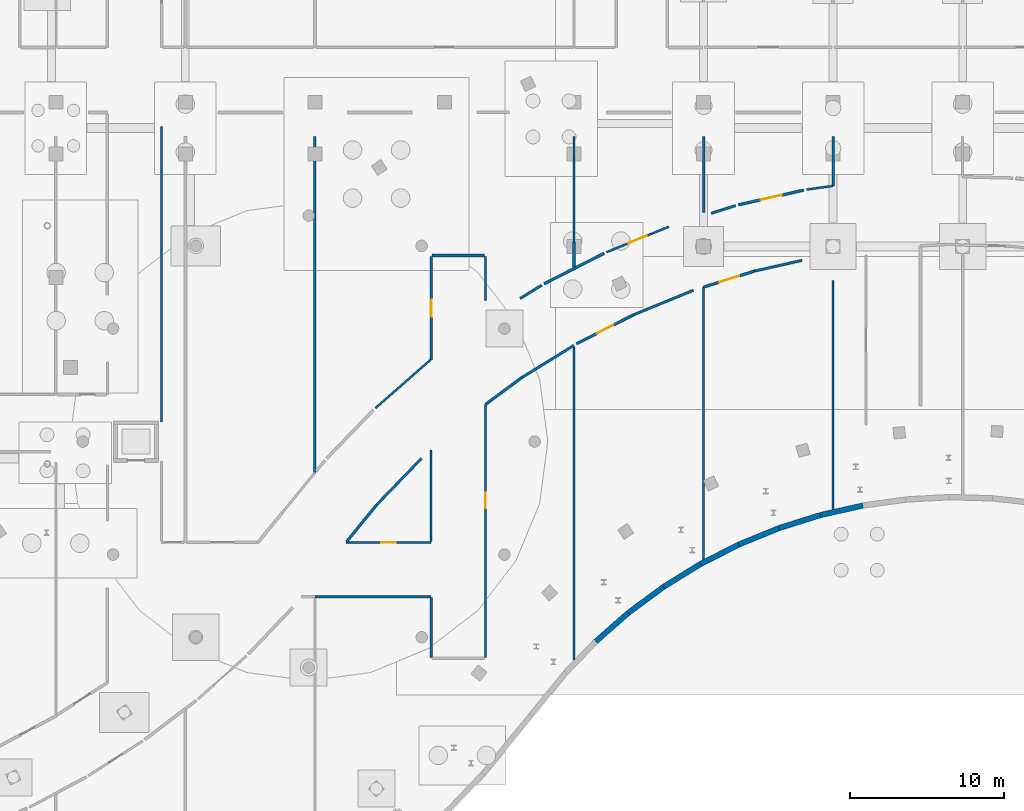
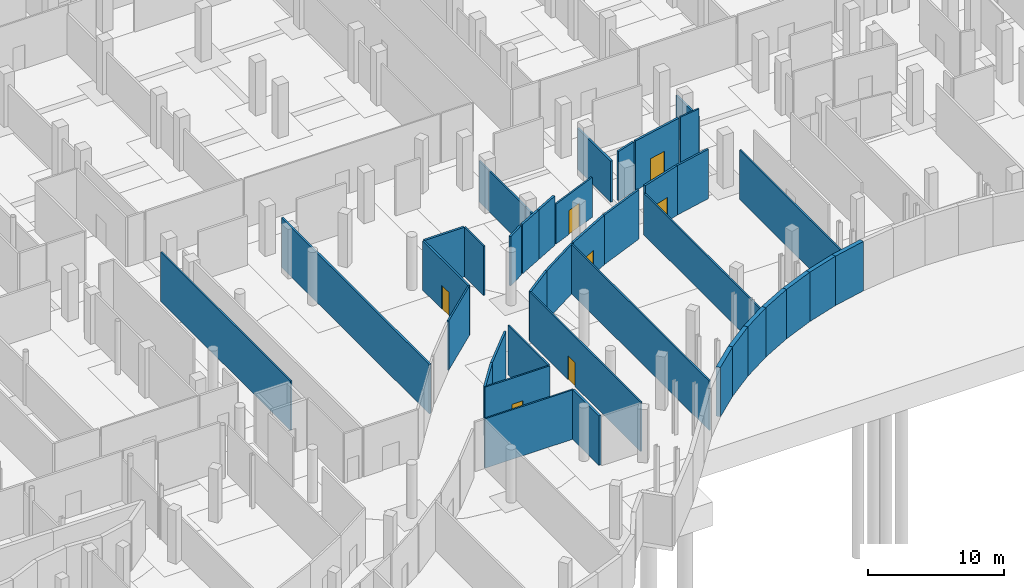
# One storey, part 29 of 45: 41 walls, 7 doors, 7 openings.
"""IFC4 building model written with IfcOpenShell, lengths in metres."""

from ifc_helpers import new_model, si_unit, direction, frame, frame_2d, origin, place, context, subcontext, project, spatial, rectangle, extrude, material, layer, layer_set, type_object, element, fill, save


model = new_model("IFC4")

# Units and contexts
model_context = context("Model", 3, precision=1e-05, world=origin(), true_north=direction((0.0, 1.0)))
body_context = subcontext(model_context, "Body", "Model", "MODEL_VIEW")
ifc_project = project(units=[si_unit("LENGTHUNIT", "METRE"), si_unit("AREAUNIT", "SQUARE_METRE"), si_unit("VOLUMEUNIT", "CUBIC_METRE"), si_unit("PLANEANGLEUNIT", "RADIAN"), si_unit("MASSUNIT", "GRAM", prefix="KILO")], contexts=[model_context])

# Site, building, storey
site_placement = place(None, origin())
site = spatial("IfcSite", under=ifc_project, at=site_placement, CompositionType="ELEMENT")
building_placement = place(site_placement, origin())
building = spatial("IfcBuilding", under=site, at=building_placement, Name="Selatvlak General Hospital", CompositionType="ELEMENT")
storey_placement = place(building_placement, frame((0.0, 0.0, -4.800048828125)))
storey = spatial("IfcBuildingStorey", under=building, at=storey_placement, Name="B1", CompositionType="ELEMENT", Elevation=-4.800048828125)

# Walls
ifc_material_1 = material(Name="Concrete C45/55", Category="concrete")
ifc_layer_1 = layer(ifc_material_1, 0.35009765625, Name="Concrete C45/55", Category="concrete")
ifc_layer_set_1 = layer_set([ifc_layer_1], Name="Concrete C45/55")
wall_type_1 = type_object("IfcWallType", Name="WALL-EW-05", PredefinedType="SHEAR", material=ifc_layer_set_1)
wall_1_placement = place(storey_placement, frame((133.927978515625, 49.85107421875, 0.0), z_axis=(0.0, 0.0, 1.0), x_axis=(-0.975661742294, -0.219281017472, 0.0)))
element("IfcWall", 1, at=wall_1_placement, inside=storey, type_object=wall_type_1, Name="B1 retaining wall 0062", PredefinedType="SHEAR", context=body_context, shape_type="SweptSolid", body=[
    extrude(rectangle(XDim=2.814697265625, YDim=0.35009765625, at=frame_2d((1.4072265625, 0.0))), origin(), (0.0, 0.0, 1.0), 4.449951171875),
])
wall_2_placement = place(storey_placement, frame((131.181884765625, 49.23388671875, 0.0), z_axis=(0.0, 0.0, 1.0), x_axis=(-0.953973125433, -0.299892107185, 0.0)))
element("IfcWall", 2, at=wall_2_placement, inside=storey, type_object=wall_type_1, Name="B1 retaining wall 0063", PredefinedType="SHEAR", context=body_context, shape_type="SweptSolid", body=[
    extrude(rectangle(XDim=2.810302734375, YDim=0.35009765625, at=frame_2d((1.4052734375, 0.0))), origin(), (0.0, 0.0, 1.0), 4.449951171875),
])
wall_3_placement = place(storey_placement, frame((128.5009765625, 48.39111328125, 0.0), z_axis=(0.0, 0.0, 1.0), x_axis=(-0.925679615695, -0.378308404727, 0.0)))
element("IfcWall", 3, at=wall_3_placement, inside=storey, type_object=wall_type_1, Name="B1 retaining wall 0064", PredefinedType="SHEAR", context=body_context, shape_type="SweptSolid", body=[
    extrude(rectangle(XDim=2.81298828125, YDim=0.35009765625, at=frame_2d((1.406494140625, 0.0))), origin(), (0.0, 0.0, 1.0), 4.449951171875),
])
wall_4_placement = place(storey_placement, frame((125.89697265625, 47.326904296875, 0.0), z_axis=(0.0, 0.0, 1.0), x_axis=(-0.891373260377, -0.453270019618, 0.0)))
element("IfcWall", 4, at=wall_4_placement, inside=storey, type_object=wall_type_1, Name="B1 retaining wall 0065", PredefinedType="SHEAR", context=body_context, shape_type="SweptSolid", body=[
    extrude(rectangle(XDim=2.81689453125, YDim=0.35009765625, at=frame_2d((1.408447265625, 0.0))), origin(), (0.0, 0.0, 1.0), 4.449951171875),
])
wall_5_placement = place(storey_placement, frame((123.385986328125, 46.050048828125, 0.0), z_axis=(0.0, 0.0, 1.0), x_axis=(-0.850433517681, -0.526082533454, 0.0)))
element("IfcWall", 5, at=wall_5_placement, inside=storey, type_object=wall_type_1, Name="B1 retaining wall 0066", PredefinedType="SHEAR", context=body_context, shape_type="SweptSolid", body=[
    extrude(rectangle(XDim=2.811279296875, YDim=0.35009765625, at=frame_2d((1.40576171875, 0.0))), origin(), (0.0, 0.0, 1.0), 4.449951171875),
])
wall_6_placement = place(storey_placement, frame((120.9951171875, 44.571044921875, 0.0), z_axis=(0.0, 0.0, 1.0), x_axis=(-0.804001189755, -0.59462768761, 0.0)))
element("IfcWall", 6, at=wall_6_placement, inside=storey, type_object=wall_type_1, Name="B1 retaining wall 0067", PredefinedType="SHEAR", context=body_context, shape_type="SweptSolid", body=[
    extrude(rectangle(XDim=2.813720703125, YDim=0.35009765625, at=frame_2d((1.40673828125, 0.0))), origin(), (0.0, 0.0, 1.0), 4.449951171875),
])
wall_7_placement = place(storey_placement, frame((118.73291015625, 42.89794921875, 0.0), z_axis=(0.0, 0.0, 1.0), x_axis=(-0.752130329724, -0.659014390669, 0.0)))
element("IfcWall", 7, at=wall_7_placement, inside=storey, type_object=wall_type_1, Name="B1 retaining wall 0068", PredefinedType="SHEAR", context=body_context, shape_type="SweptSolid", body=[
    extrude(rectangle(XDim=2.813232421875, YDim=0.35009765625, at=frame_2d((1.40673828125, 0.0))), origin(), (0.0, 0.0, 1.0), 4.449951171875),
])
ifc_material_2 = material(Name="Acoustic gypsum stud partition")
ifc_layer_2 = layer(ifc_material_2, 0.179931640625, Name="Acoustic gypsum stud partition")
ifc_layer_set_2 = layer_set([ifc_layer_2], Name="Acoustic gypsum stud partition")
wall_type_2 = type_object("IfcWallType", Name="WALL-PT-01", PredefinedType="PARTITIONING", material=ifc_layer_set_2)
wall_8_placement = place(storey_placement, frame((105.93994140625, 43.876953125, 0.0), z_axis=(0.0, 0.0, 1.0), x_axis=(0.0, -1.0, 0.0)))
element("IfcWall", 8, at=wall_8_placement, inside=storey, type_object=wall_type_2, Name="B1 clinical partition PT-B1-0141", PredefinedType="PARTITIONING", context=body_context, shape_type="SweptSolid", body=[
    extrude(rectangle(XDim=3.876953125, YDim=0.179931640625, at=frame_2d((1.9384765625, 0.0))), origin(), (0.0, 0.0, 1.0), 4.449951171875),
])
wall_9_placement = place(storey_placement, frame((109.4599609375, 56.406005859375, 0.0), z_axis=(0.0, 0.0, 1.0), x_axis=(0.803833088097, 0.594854912125, 0.0)))
element("IfcWall", 9, at=wall_9_placement, inside=storey, type_object=wall_type_2, Name="B1 clinical partition PT-B1-0144", PredefinedType="PARTITIONING", context=body_context, shape_type="SweptSolid", body=[
    extrude(rectangle(XDim=2.914794921875, YDim=0.179931640625, at=frame_2d((1.45751953125, 0.0))), origin(), (0.0, 0.0, 1.0), 4.449951171875),
])
wall_10_placement = place(storey_placement, frame((115.199951171875, 65.215087890625, 0.0), z_axis=(0.0, 0.0, 1.0), x_axis=(-0.891321133159, -0.45337251525, 0.0)))
element("IfcWall", 10, at=wall_10_placement, inside=storey, type_object=wall_type_2, Name="B1 clinical partition PT-B1-0150", PredefinedType="PARTITIONING", context=body_context, shape_type="SweptSolid", body=[
    extrude(rectangle(XDim=2.16845703125, YDim=0.179931640625, at=frame_2d((1.084228515625, 0.0))), origin(), (0.0, 0.0, 1.0), 4.449951171875),
])
wall_11_placement = place(storey_placement, frame((109.39990234375, 66.06005859375, 0.0), z_axis=(0.0, 0.0, 1.0), x_axis=(-1.0, 0.0, 0.0)))
element("IfcWall", 11, at=wall_11_placement, inside=storey, type_object=wall_type_2, Name="B1 clinical partition PT-B1-0153", PredefinedType="PARTITIONING", context=body_context, shape_type="SweptSolid", body=[
    extrude(rectangle(XDim=3.39990234375, YDim=0.179931640625, at=frame_2d((1.699951171875, 0.0))), origin(), (0.0, 0.0, 1.0), 4.449951171875),
])
wall_12_placement = place(storey_placement, frame((100.465087890625, 47.52294921875, 0.0), z_axis=(0.0, 0.0, 1.0), x_axis=(0.632428992504, 0.774618337919, 0.0)))
element("IfcWall", 12, at=wall_12_placement, inside=storey, type_object=wall_type_2, Name="B1 clinical partition PT-B1-0159", PredefinedType="PARTITIONING", context=body_context, shape_type="SweptSolid", body=[
    extrude(rectangle(XDim=3.0751953125, YDim=0.179931640625, at=frame_2d((1.53759765625, 0.0))), origin(), (0.0, 0.0, 1.0), 4.449951171875),
])

# Wall, opening, door
wall_13_placement = place(storey_placement, frame((115.35302734375, 60.333984375, 0.0), z_axis=(0.0, 0.0, 1.0), x_axis=(0.891282591813, 0.453448278782, 0.0)))
wall_13 = element("IfcWall", 13, at=wall_13_placement, inside=storey, type_object=wall_type_2, Name="B1 clinical partition PT-B1-0162", PredefinedType="PARTITIONING", context=body_context, shape_type="SweptSolid", body=[
    extrude(rectangle(XDim=4.1748046875, YDim=0.179931640625, at=frame_2d((2.08740234375, 0.0))), origin(), (0.0, 0.0, 1.0), 4.449951171875),
])
opening_1_placement = place(wall_13_placement, frame((1.487060546875, 0.0, 0.0)))
opening_1 = element("IfcOpeningElement", 14, at=opening_1_placement, cuts=wall_13, Name="Opening D-07", PredefinedType="OPENING", context=body_context, shape_type="SweptSolid", body=[
    extrude(rectangle(XDim=1.199951171875, YDim=2.14990234375, at=frame_2d((0.60009765625, 1.074951171875))), frame((0.0, 0.099853515625, 0.0), z_axis=(0.0, -1.0, 0.0), x_axis=(1.0, 0.0, 0.0)), (0.0, 0.0, 1.0), 0.199951171875),
])
ifc_material_3 = material(Name="Plant and store fire door")
door_type_1 = type_object("IfcDoorType", Name="DOOR-D-07", OperationType="NOTDEFINED", PredefinedType="DOOR", material=ifc_material_3)
door_1_placement = place(opening_1_placement, origin())
door_1 = element("IfcDoor", 15, at=door_1_placement, inside=storey, type_object=door_type_1, Name="B1 Automated Pharmacy Robotics Plant 32 door", OperationType="SINGLE_SWING_LEFT", OverallHeight=2.14990234375, OverallWidth=1.199951171875, PredefinedType="DOOR", context=body_context, shape_type="SweptSolid", body=[
    extrude(rectangle(XDim=1.199951171875, YDim=2.14990234375, at=frame_2d((0.60009765625, 1.074951171875))), frame((0.0, 0.02490234375, 0.0), z_axis=(0.0, -1.0, 0.0), x_axis=(1.0, 0.0, 0.0)), (0.0, 0.0, 1.0), 0.050048828125),
])
fill(opening_1, door_1)

# Wall
wall_14_placement = place(storey_placement, frame((117.15087890625, 66.2080078125, 0.0), z_axis=(0.0, 0.0, 1.0), x_axis=(-0.891214759651, -0.453581582718, 0.0)))
element("IfcWall", 16, at=wall_14_placement, inside=storey, type_object=wall_type_2, Name="B1 clinical partition PT-B1-0168", PredefinedType="PARTITIONING", context=body_context, shape_type="SweptSolid", body=[
    extrude(rectangle(XDim=2.18896484375, YDim=0.179931640625, at=frame_2d((1.094482421875, 0.0))), origin(), (0.0, 0.0, 1.0), 4.449951171875),
])

# Wall, opening, door
wall_15_placement = place(storey_placement, frame((123.60009765625, 64.013916015625, 0.0), z_axis=(0.0, 0.0, 1.0), x_axis=(0.953976505083, 0.299881356123, 0.0)))
wall_15 = element("IfcWall", 17, at=wall_15_placement, inside=storey, type_object=wall_type_2, Name="B1 clinical partition PT-B1-0171", PredefinedType="PARTITIONING", context=body_context, shape_type="SweptSolid", body=[
    extrude(rectangle(XDim=3.47802734375, YDim=0.179931640625, at=frame_2d((1.739013671875, 0.0))), origin(), (0.0, 0.0, 1.0), 4.449951171875),
])
opening_2_placement = place(wall_15_placement, frame((1.06396484375, 0.0, 0.0)))
opening_2 = element("IfcOpeningElement", 18, at=opening_2_placement, cuts=wall_15, Name="Opening D-10", PredefinedType="OPENING", context=body_context, shape_type="SweptSolid", body=[
    extrude(rectangle(XDim=1.35009765625, YDim=2.14990234375, at=frame_2d((0.675048828125, 1.074951171875))), frame((0.0, 0.099853515625, 0.0), z_axis=(0.0, -1.0, 0.0), x_axis=(1.0, 0.0, 0.0)), (0.0, 0.0, 1.0), 0.199951171875),
])
ifc_material_4 = material(Name="Single patient bed door")
door_type_2 = type_object("IfcDoorType", Name="DOOR-D-10", OperationType="NOTDEFINED", PredefinedType="DOOR", material=ifc_material_4)
door_2_placement = place(opening_2_placement, origin())
door_2 = element("IfcDoor", 19, at=door_2_placement, inside=storey, type_object=door_type_2, Name="B1 Outpatient Medical Records Archive 34 door", OperationType="SINGLE_SWING_LEFT", OverallHeight=2.14990234375, OverallWidth=1.35009765625, PredefinedType="DOOR", context=body_context, shape_type="SweptSolid", body=[
    extrude(rectangle(XDim=1.35009765625, YDim=2.14990234375, at=frame_2d((0.675048828125, 1.074951171875))), frame((0.0, 0.02490234375, 0.0), z_axis=(0.0, -1.0, 0.0), x_axis=(1.0, 0.0, 0.0)), (0.0, 0.0, 1.0), 0.050048828125),
])
fill(opening_2, door_2)

wall_16_placement = place(storey_placement, frame((130.10791015625, 70.305908203125, 0.0), z_axis=(0.0, 0.0, 1.0), x_axis=(-0.975583344842, -0.219629545521, 0.0)))
wall_16 = element("IfcWall", 20, at=wall_16_placement, inside=storey, type_object=wall_type_2, Name="B1 clinical partition PT-B1-0177", PredefinedType="PARTITIONING", context=body_context, shape_type="SweptSolid", body=[
    extrude(rectangle(XDim=4.3564453125, YDim=0.179931640625, at=frame_2d((2.17822265625, 0.0))), origin(), (0.0, 0.0, 1.0), 4.449951171875),
])
opening_3_placement = place(wall_16_placement, frame((1.47802734375, 0.0, 0.0)))
opening_3 = element("IfcOpeningElement", 21, at=opening_3_placement, cuts=wall_16, Name="Opening D-11", PredefinedType="OPENING", context=body_context, shape_type="SweptSolid", body=[
    extrude(rectangle(XDim=1.39990234375, YDim=2.14990234375, at=frame_2d((0.699951171875, 1.074951171875))), frame((0.0, 0.099853515625, 0.0), z_axis=(0.0, -1.0, 0.0), x_axis=(1.0, 0.0, 0.0)), (0.0, 0.0, 1.0), 0.199951171875),
])
ifc_material_5 = material(Name="Inpatient suite bed door")
door_type_3 = type_object("IfcDoorType", Name="DOOR-D-11", OperationType="NOTDEFINED", PredefinedType="DOOR", material=ifc_material_5)
door_3_placement = place(opening_3_placement, origin())
door_3 = element("IfcDoor", 22, at=door_3_placement, inside=storey, type_object=door_type_3, Name="B1 Standard Underground Car Park Bay Zone 35 door", OperationType="SINGLE_SWING_RIGHT", OverallHeight=2.14990234375, OverallWidth=1.39990234375, PredefinedType="DOOR", context=body_context, shape_type="SweptSolid", body=[
    extrude(rectangle(XDim=1.39990234375, YDim=2.14990234375, at=frame_2d((0.699951171875, 1.074951171875))), frame((0.0, 0.02490234375, 0.0), z_axis=(0.0, -1.0, 0.0), x_axis=(1.0, 0.0, 0.0)), (0.0, 0.0, 1.0), 0.050048828125),
])
fill(opening_3, door_3)

# Walls
ifc_layer_3 = layer(ifc_material_2, 0.1650390625, Name="Acoustic gypsum stud partition")
ifc_layer_set_3 = layer_set([ifc_layer_3], Name="Acoustic gypsum stud partition")
wall_type_3 = type_object("IfcWallType", Name="WALL-PT-02", PredefinedType="PARTITIONING", material=ifc_layer_set_3)
wall_17_placement = place(storey_placement, frame((98.39990234375, 73.7900390625, 0.0), z_axis=(0.0, 0.0, 1.0), x_axis=(0.0, -1.0, 0.0)))
element("IfcWall", 23, at=wall_17_placement, inside=storey, type_object=wall_type_3, Name="B1 clinical partition PT-B1-0136", PredefinedType="PARTITIONING", context=body_context, shape_type="SweptSolid", body=[
    extrude(rectangle(XDim=21.80810546875, YDim=0.1650390625, at=frame_2d((10.904052734375, 0.0))), origin(), (0.0, 0.0, 1.0), 4.449951171875),
])
wall_18_placement = place(storey_placement, frame((111.802978515625, 58.139892578125, 0.0), z_axis=(0.0, 0.0, 1.0), x_axis=(0.850687032492, 0.525672495714, 0.0)))
element("IfcWall", 24, at=wall_18_placement, inside=storey, type_object=wall_type_3, Name="B1 clinical partition PT-B1-0145", PredefinedType="PARTITIONING", context=body_context, shape_type="SweptSolid", body=[
    extrude(rectangle(XDim=3.9931640625, YDim=0.1650390625, at=frame_2d((1.99658203125, 0.0))), origin(), (0.0, 0.0, 1.0), 4.449951171875),
])
wall_19_placement = place(storey_placement, frame((113.10693359375, 64.14208984375, 0.0), z_axis=(0.0, 0.0, 1.0), x_axis=(-0.850576382598, -0.525851516463, 0.0)))
element("IfcWall", 25, at=wall_19_placement, inside=storey, type_object=wall_type_3, Name="B1 clinical partition PT-B1-0151", PredefinedType="PARTITIONING", context=body_context, shape_type="SweptSolid", body=[
    extrude(rectangle(XDim=1.637451171875, YDim=0.1650390625, at=frame_2d((0.81884765625, 0.0))), origin(), (0.0, 0.0, 1.0), 4.449951171875),
])

# Wall, opening, door
wall_20_placement = place(storey_placement, frame((105.93994140625, 66.0, 0.0), z_axis=(0.0, 0.0, 1.0), x_axis=(0.0, -1.0, 0.0)))
wall_20 = element("IfcWall", 26, at=wall_20_placement, inside=storey, type_object=wall_type_3, Name="B1 clinical partition PT-B1-0154", PredefinedType="PARTITIONING", context=body_context, shape_type="SweptSolid", body=[
    extrude(rectangle(XDim=6.699951171875, YDim=0.1650390625, at=frame_2d((3.35009765625, 0.0))), origin(), (0.0, 0.0, 1.0), 4.449951171875),
])
opening_4_placement = place(wall_20_placement, frame((2.800048828125, 0.0, 0.0)))
opening_4 = element("IfcOpeningElement", 27, at=opening_4_placement, cuts=wall_20, Name="Opening D-22", PredefinedType="OPENING", context=body_context, shape_type="SweptSolid", body=[
    extrude(rectangle(XDim=1.10009765625, YDim=2.14990234375, at=frame_2d((0.550048828125, 1.074951171875))), frame((0.0, 0.092529296875, 0.0), z_axis=(0.0, -1.0, 0.0), x_axis=(1.0, 0.0, 0.0)), (0.0, 0.0, 1.0), 0.18505859375),
])
ifc_material_6 = material(Name="Pharmacy security fire door")
door_type_4 = type_object("IfcDoorType", Name="DOOR-D-22", OperationType="NOTDEFINED", PredefinedType="DOOR", material=ifc_material_6)
door_4_placement = place(opening_4_placement, origin())
door_4 = element("IfcDoor", 28, at=door_4_placement, inside=storey, type_object=door_type_4, Name="B1 Accessible Wheelchair Parking Bay Zone 30 door", OperationType="SINGLE_SWING_LEFT", OverallHeight=2.14990234375, OverallWidth=1.10009765625, PredefinedType="DOOR", context=body_context, shape_type="SweptSolid", body=[
    extrude(rectangle(XDim=1.10009765625, YDim=2.14990234375, at=frame_2d((0.550048828125, 1.074951171875))), frame((0.0, 0.02490234375, 0.0), z_axis=(0.0, -1.0, 0.0), x_axis=(1.0, 0.0, 0.0)), (0.0, 0.0, 1.0), 0.050048828125),
])
fill(opening_4, door_4)

# Walls
wall_21_placement = place(storey_placement, frame((102.409912109375, 49.905029296875, 0.0), z_axis=(0.0, 0.0, 1.0), x_axis=(0.694806380461, 0.719196839308, 0.0)))
element("IfcWall", 29, at=wall_21_placement, inside=storey, type_object=wall_type_3, Name="B1 clinical partition PT-B1-0160", PredefinedType="PARTITIONING", context=body_context, shape_type="SweptSolid", body=[
    extrude(rectangle(XDim=4.174072265625, YDim=0.1650390625, at=frame_2d((2.0869140625, 0.0))), origin(), (0.0, 0.0, 1.0), 4.449951171875),
])
wall_22_placement = place(storey_placement, frame((119.073974609375, 62.22705078125, 0.0), z_axis=(0.0, 0.0, 1.0), x_axis=(0.925752783847, 0.378129320736, 0.0)))
element("IfcWall", 30, at=wall_22_placement, inside=storey, type_object=wall_type_3, Name="B1 clinical partition PT-B1-0163", PredefinedType="PARTITIONING", context=body_context, shape_type="SweptSolid", body=[
    extrude(rectangle(XDim=4.1728515625, YDim=0.1650390625, at=frame_2d((2.08642578125, 0.0))), origin(), (0.0, 0.0, 1.0), 4.449951171875),
])
wall_23_placement = place(storey_placement, frame((123.60009765625, 73.7900390625, 0.0), z_axis=(0.0, 0.0, 1.0), x_axis=(0.0, -1.0, 0.0)))
element("IfcWall", 31, at=wall_23_placement, inside=storey, type_object=wall_type_3, Name="B1 clinical partition PT-B1-0166", PredefinedType="PARTITIONING", context=body_context, shape_type="SweptSolid", body=[
    extrude(rectangle(XDim=4.929931640625, YDim=0.1650390625, at=frame_2d((2.46484375, 0.0))), origin(), (0.0, 0.0, 1.0), 3.699951171875),
])
wall_24_placement = place(storey_placement, frame((115.199951171875, 65.31103515625, 0.0), z_axis=(0.0, 0.0, 1.0), x_axis=(0.0, 1.0, 0.0)))
element("IfcWall", 32, at=wall_24_placement, inside=storey, type_object=wall_type_3, Name="B1 clinical partition PT-B1-0169", PredefinedType="PARTITIONING", context=body_context, shape_type="SweptSolid", body=[
    extrude(rectangle(XDim=1.634033203125, YDim=0.1650390625, at=frame_2d((0.81689453125, 0.0))), origin(), (0.0, 0.0, 1.0), 3.699951171875),
])
wall_25_placement = place(storey_placement, frame((126.91796875, 65.056884765625, 0.0), z_axis=(0.0, 0.0, 1.0), x_axis=(0.975537780093, 0.219831843942, 0.0)))
element("IfcWall", 33, at=wall_25_placement, inside=storey, type_object=wall_type_3, Name="B1 clinical partition PT-B1-0172", PredefinedType="PARTITIONING", context=body_context, shape_type="SweptSolid", body=[
    extrude(rectangle(XDim=3.14404296875, YDim=0.1650390625, at=frame_2d((1.572021484375, 0.0))), origin(), (0.0, 0.0, 1.0), 4.449951171875),
])
wall_26_placement = place(storey_placement, frame((132.0, 73.7900390625, 0.0), z_axis=(0.0, 0.0, 1.0), x_axis=(0.0, -1.0, 0.0)))
element("IfcWall", 34, at=wall_26_placement, inside=storey, type_object=wall_type_3, Name="B1 clinical partition PT-B1-0175", PredefinedType="PARTITIONING", context=body_context, shape_type="SweptSolid", body=[
    extrude(rectangle(XDim=3.212158203125, YDim=0.1650390625, at=frame_2d((1.60595703125, 0.0))), origin(), (0.0, 0.0, 1.0), 3.699951171875),
])
wall_27_placement = place(storey_placement, frame((125.679931640625, 69.301025390625, 0.0), z_axis=(0.0, 0.0, 1.0), x_axis=(-0.953945729363, -0.299979241664, 0.0)))
element("IfcWall", 35, at=wall_27_placement, inside=storey, type_object=wall_type_3, Name="B1 clinical partition PT-B1-0178", PredefinedType="PARTITIONING", context=body_context, shape_type="SweptSolid", body=[
    extrude(rectangle(XDim=1.66357421875, YDim=0.1650390625, at=frame_2d((0.831787109375, 0.0))), origin(), (0.0, 0.0, 1.0), 4.449951171875),
])
ifc_material_7 = material(Name="Moisture-resistant clinical partition")
ifc_layer_4 = layer(ifc_material_7, 0.135009765625, Name="Moisture-resistant clinical partition")
ifc_layer_set_4 = layer_set([ifc_layer_4], Name="Moisture-resistant clinical partition")
wall_type_4 = type_object("IfcWallType", Name="WALL-PT-04", PredefinedType="PARTITIONING", material=ifc_layer_set_4)
wall_28_placement = place(storey_placement, frame((88.4599609375, 55.280029296875, 0.0), z_axis=(0.0, 0.0, 1.0), x_axis=(0.0, 1.0, 0.0)))
element("IfcWall", 36, at=wall_28_placement, inside=storey, type_object=wall_type_4, Name="B1 clinical partition PT-B1-0122", PredefinedType="PARTITIONING", context=body_context, shape_type="SweptSolid", body=[
    extrude(rectangle(XDim=19.136962890625, YDim=0.135009765625, at=frame_2d((9.568359375, 0.0))), origin(), (0.0, 0.0, 1.0), 4.449951171875),
])
wall_29_placement = place(storey_placement, frame((98.39990234375, 43.93994140625, 0.0), z_axis=(0.0, 0.0, 1.0), x_axis=(1.0, 0.0, 0.0)))
element("IfcWall", 37, at=wall_29_placement, inside=storey, type_object=wall_type_4, Name="B1 clinical partition PT-B1-0140", PredefinedType="PARTITIONING", context=body_context, shape_type="SweptSolid", body=[
    extrude(rectangle(XDim=7.5400390625, YDim=0.135009765625, at=frame_2d((3.77001953125, 0.0))), origin(), (0.0, 0.0, 1.0), 4.449951171875),
])

# Wall, opening, door
wall_30_placement = place(storey_placement, frame((109.4599609375, 40.0, 0.0), z_axis=(0.0, 0.0, 1.0), x_axis=(0.0, 1.0, 0.0)))
wall_30 = element("IfcWall", 38, at=wall_30_placement, inside=storey, type_object=wall_type_4, Name="B1 clinical partition PT-B1-0143", PredefinedType="PARTITIONING", context=body_context, shape_type="SweptSolid", body=[
    extrude(rectangle(XDim=16.406005859375, YDim=0.135009765625, at=frame_2d((8.203125, 0.0))), origin(), (0.0, 0.0, 1.0), 4.449951171875),
])
opening_5_placement = place(wall_30_placement, frame((9.672119140625, 0.0, 0.0)))
opening_5 = element("IfcOpeningElement", 39, at=opening_5_placement, cuts=wall_30, Name="Opening D-21", PredefinedType="OPENING", context=body_context, shape_type="SweptSolid", body=[
    extrude(rectangle(XDim=1.0, YDim=2.14990234375, at=frame_2d((0.5, 1.074951171875))), frame((0.0, 0.077392578125, 0.0), z_axis=(0.0, -1.0, 0.0), x_axis=(1.0, 0.0, 0.0)), (0.0, 0.0, 1.0), 0.155029296875),
])
ifc_material_8 = material(Name="Laboratory fire door")
door_type_5 = type_object("IfcDoorType", Name="DOOR-D-21", OperationType="NOTDEFINED", PredefinedType="DOOR", material=ifc_material_8)
door_5_placement = place(opening_5_placement, origin())
door_5 = element("IfcDoor", 40, at=door_5_placement, inside=storey, type_object=door_type_5, Name="B1 Automated Pharmacy Robotics Plant 29 door", OperationType="SINGLE_SWING_RIGHT", OverallHeight=2.14990234375, OverallWidth=1.0, PredefinedType="DOOR", context=body_context, shape_type="SweptSolid", body=[
    extrude(rectangle(XDim=1.0, YDim=2.14990234375, at=frame_2d((0.5, 1.074951171875))), frame((0.0, 0.02490234375, 0.0), z_axis=(0.0, -1.0, 0.0), x_axis=(1.0, 0.0, 0.0)), (0.0, 0.0, 1.0), 0.050048828125),
])
fill(opening_5, door_5)

# Walls
wall_31_placement = place(storey_placement, frame((115.199951171875, 60.14697265625, 0.0), z_axis=(0.0, 0.0, 1.0), x_axis=(0.0, -1.0, 0.0)))
element("IfcWall", 41, at=wall_31_placement, inside=storey, type_object=wall_type_4, Name="B1 clinical partition PT-B1-0146", PredefinedType="PARTITIONING", context=body_context, shape_type="SweptSolid", body=[
    extrude(rectangle(XDim=20.322021484375, YDim=0.135009765625, at=frame_2d((10.1611328125, 0.0))), origin(), (0.0, 0.0, 1.0), 4.449951171875),
])
wall_32_placement = place(storey_placement, frame((115.199951171875, 72.35498046875, 0.0), z_axis=(0.0, 0.0, 1.0), x_axis=(0.0, -1.0, 0.0)))
element("IfcWall", 42, at=wall_32_placement, inside=storey, type_object=wall_type_4, Name="B1 clinical partition PT-B1-0149", PredefinedType="PARTITIONING", context=body_context, shape_type="SweptSolid", body=[
    extrude(rectangle(XDim=5.409912109375, YDim=0.135009765625, at=frame_2d((2.705078125, 0.0))), origin(), (0.0, 0.0, 1.0), 3.699951171875),
])
wall_33_placement = place(storey_placement, frame((109.4599609375, 63.1630859375, 0.0), z_axis=(0.0, 0.0, 1.0), x_axis=(0.0, 1.0, 0.0)))
element("IfcWall", 43, at=wall_33_placement, inside=storey, type_object=wall_type_4, Name="B1 clinical partition PT-B1-0152", PredefinedType="PARTITIONING", context=body_context, shape_type="SweptSolid", body=[
    extrude(rectangle(XDim=2.8369140625, YDim=0.135009765625, at=frame_2d((1.41845703125, 0.0))), origin(), (0.0, 0.0, 1.0), 4.449951171875),
])
wall_34_placement = place(storey_placement, frame((105.89794921875, 59.300048828125, 0.0), z_axis=(0.0, 0.0, 1.0), x_axis=(-0.752006328674, -0.659155885686, 0.0)))
element("IfcWall", 44, at=wall_34_placement, inside=storey, type_object=wall_type_4, Name="B1 clinical partition PT-B1-0155", PredefinedType="PARTITIONING", context=body_context, shape_type="SweptSolid", body=[
    extrude(rectangle(XDim=4.748779296875, YDim=0.135009765625, at=frame_2d((2.37451171875, 0.0))), origin(), (0.0, 0.0, 1.0), 4.449951171875),
])

# Wall, opening, door
wall_35_placement = place(storey_placement, frame((105.93994140625, 47.4599609375, 0.0), z_axis=(0.0, 0.0, 1.0), x_axis=(-1.0, 0.0, 0.0)))
wall_35 = element("IfcWall", 45, at=wall_35_placement, inside=storey, type_object=wall_type_4, Name="B1 clinical partition PT-B1-0158", PredefinedType="PARTITIONING", context=body_context, shape_type="SweptSolid", body=[
    extrude(rectangle(XDim=5.52685546875, YDim=0.135009765625, at=frame_2d((2.763427734375, 0.0))), origin(), (0.0, 0.0, 1.0), 4.449951171875),
])
opening_6_placement = place(wall_35_placement, frame((2.2890625, 0.0, 0.0)))
opening_6 = element("IfcOpeningElement", 46, at=opening_6_placement, cuts=wall_35, Name="Opening D-02", PredefinedType="OPENING", context=body_context, shape_type="SweptSolid", body=[
    extrude(rectangle(XDim=0.949951171875, YDim=2.10009765625, at=frame_2d((0.47509765625, 1.050048828125))), frame((0.0, 0.077392578125, 0.0), z_axis=(0.0, -1.0, 0.0), x_axis=(1.0, 0.0, 0.0)), (0.0, 0.0, 1.0), 0.155029296875),
])
ifc_material_9 = material(Name="Moisture-resistant en-suite door")
door_type_6 = type_object("IfcDoorType", Name="DOOR-D-02", OperationType="NOTDEFINED", PredefinedType="DOOR", material=ifc_material_9)
door_6_placement = place(opening_6_placement, origin())
door_6 = element("IfcDoor", 47, at=door_6_placement, inside=storey, type_object=door_type_6, Name="B1 Outpatient Medical Records Archive 31 door", OperationType="SINGLE_SWING_RIGHT", OverallHeight=2.10009765625, OverallWidth=0.949951171875, PredefinedType="DOOR", context=body_context, shape_type="SweptSolid", body=[
    extrude(rectangle(XDim=0.949951171875, YDim=2.10009765625, at=frame_2d((0.47509765625, 1.050048828125))), frame((0.0, 0.02490234375, 0.0), z_axis=(0.0, -1.0, 0.0), x_axis=(1.0, 0.0, 0.0)), (0.0, 0.0, 1.0), 0.050048828125),
])
fill(opening_6, door_6)

# Walls
wall_36_placement = place(storey_placement, frame((105.93994140625, 53.458984375, 0.0), z_axis=(0.0, 0.0, 1.0), x_axis=(0.0, -1.0, 0.0)))
element("IfcWall", 48, at=wall_36_placement, inside=storey, type_object=wall_type_4, Name="B1 clinical partition PT-B1-0161", PredefinedType="PARTITIONING", context=body_context, shape_type="SweptSolid", body=[
    extrude(rectangle(XDim=5.93603515625, YDim=0.135009765625, at=frame_2d((2.968017578125, 0.0))), origin(), (0.0, 0.0, 1.0), 4.449951171875),
])
wall_37_placement = place(storey_placement, frame((123.60009765625, 64.013916015625, 0.0), z_axis=(0.0, 0.0, 1.0), x_axis=(0.0, -1.0, 0.0)))
element("IfcWall", 49, at=wall_37_placement, inside=storey, type_object=wall_type_4, Name="B1 clinical partition PT-B1-0164", PredefinedType="PARTITIONING", context=body_context, shape_type="SweptSolid", body=[
    extrude(rectangle(XDim=17.661865234375, YDim=0.135009765625, at=frame_2d((8.8310546875, 0.0))), origin(), (0.0, 0.0, 1.0), 3.75),
])

# Wall, opening, door
wall_38_placement = place(storey_placement, frame((121.35009765625, 67.931884765625, 0.0), z_axis=(0.0, 0.0, 1.0), x_axis=(-0.925632511798, -0.378423642368, 0.0)))
wall_38 = element("IfcWall", 50, at=wall_38_placement, inside=storey, type_object=wall_type_4, Name="B1 clinical partition PT-B1-0167", PredefinedType="PARTITIONING", context=body_context, shape_type="SweptSolid", body=[
    extrude(rectangle(XDim=4.362548828125, YDim=0.135009765625, at=frame_2d((2.18115234375, 0.0))), origin(), (0.0, 0.0, 1.0), 3.60009765625),
])
opening_7_placement = place(wall_38_placement, frame((1.531005859375, 0.0, 0.0)))
opening_7 = element("IfcOpeningElement", 51, at=opening_7_placement, cuts=wall_38, Name="Opening D-09", PredefinedType="OPENING", context=body_context, shape_type="SweptSolid", body=[
    extrude(rectangle(XDim=1.300048828125, YDim=2.14990234375, at=frame_2d((0.64990234375, 1.074951171875))), frame((0.0, 0.077392578125, 0.0), z_axis=(0.0, -1.0, 0.0), x_axis=(1.0, 0.0, 0.0)), (0.0, 0.0, 1.0), 0.155029296875),
])
ifc_material_10 = material(Name="Outpatient procedure door")
door_type_7 = type_object("IfcDoorType", Name="DOOR-D-09", OperationType="NOTDEFINED", PredefinedType="DOOR", material=ifc_material_10)
door_7_placement = place(opening_7_placement, origin())
door_7 = element("IfcDoor", 52, at=door_7_placement, inside=storey, type_object=door_type_7, Name="B1 Standard Underground Car Park Bay Zone 33 door", OperationType="SINGLE_SWING_RIGHT", OverallHeight=2.14990234375, OverallWidth=1.300048828125, PredefinedType="DOOR", context=body_context, shape_type="SweptSolid", body=[
    extrude(rectangle(XDim=1.300048828125, YDim=2.14990234375, at=frame_2d((0.64990234375, 1.074951171875))), frame((0.0, 0.02490234375, 0.0), z_axis=(0.0, -1.0, 0.0), x_axis=(1.0, 0.0, 0.0)), (0.0, 0.0, 1.0), 0.050048828125),
])
fill(opening_7, door_7)

# Walls
wall_39_placement = place(storey_placement, frame((115.199951171875, 72.35498046875, 0.0), z_axis=(0.0, 0.0, 1.0), x_axis=(0.0, 1.0, 0.0)))
element("IfcWall", 53, at=wall_39_placement, inside=storey, type_object=wall_type_4, Name="B1 clinical partition PT-B1-0170", PredefinedType="PARTITIONING", context=body_context, shape_type="SweptSolid", body=[
    extrude(rectangle(XDim=1.43505859375, YDim=0.135009765625, at=frame_2d((0.717529296875, 0.0))), origin(), (0.0, 0.0, 1.0), 3.699951171875),
])
wall_40_placement = place(storey_placement, frame((132.0, 64.43994140625, 0.0), z_axis=(0.0, 0.0, 1.0), x_axis=(0.0, -1.0, 0.0)))
element("IfcWall", 54, at=wall_40_placement, inside=storey, type_object=wall_type_4, Name="B1 clinical partition PT-B1-0173", PredefinedType="PARTITIONING", context=body_context, shape_type="SweptSolid", body=[
    extrude(rectangle(XDim=14.845947265625, YDim=0.135009765625, at=frame_2d((7.4228515625, 0.0))), origin(), (0.0, 0.0, 1.0), 4.449951171875),
])
wall_41_placement = place(storey_placement, frame((132.0, 70.577880859375, 0.0), z_axis=(0.0, 0.0, 1.0), x_axis=(-0.990423758249, -0.13806078044, 0.0)))
element("IfcWall", 55, at=wall_41_placement, inside=storey, type_object=wall_type_4, Name="B1 clinical partition PT-B1-0176", PredefinedType="PARTITIONING", context=body_context, shape_type="SweptSolid", body=[
    extrude(rectangle(XDim=1.7294921875, YDim=0.135009765625, at=frame_2d((0.86474609375, 0.0))), origin(), (0.0, 0.0, 1.0), 4.449951171875),
])

save(model, "model.ifc")
